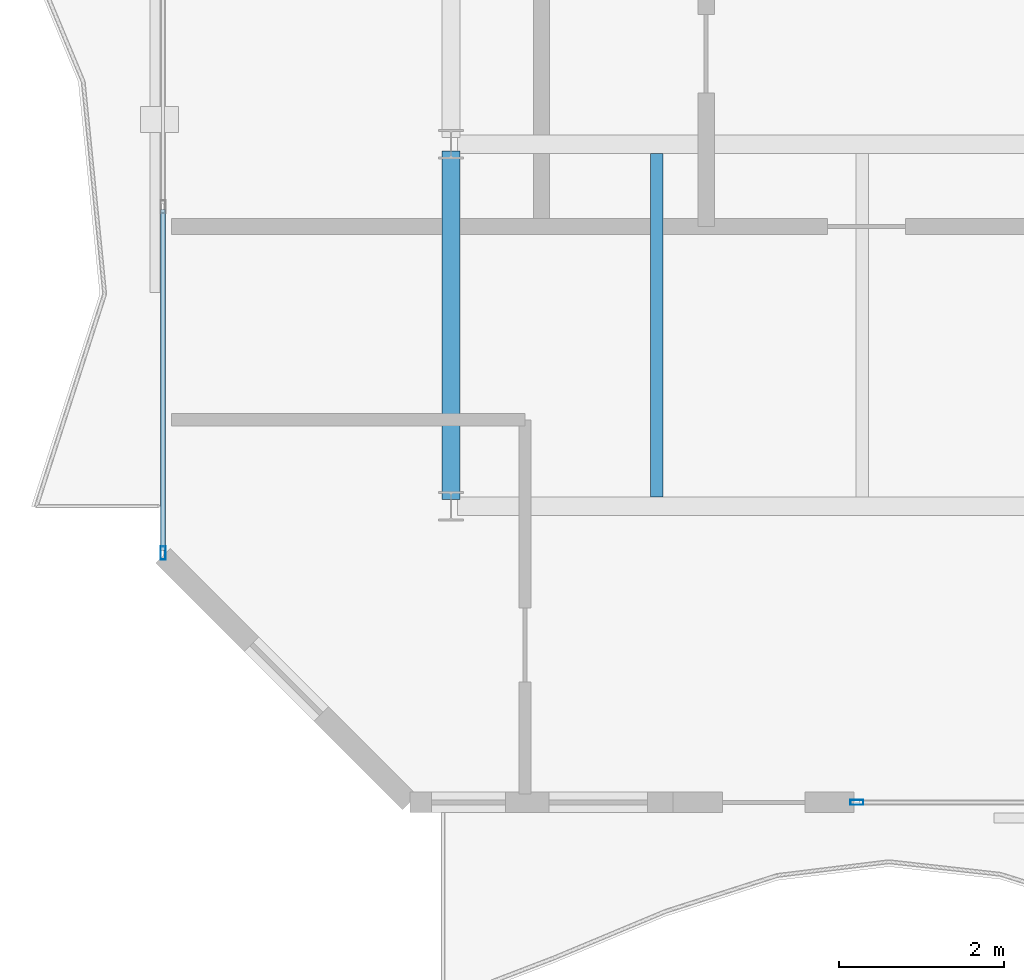
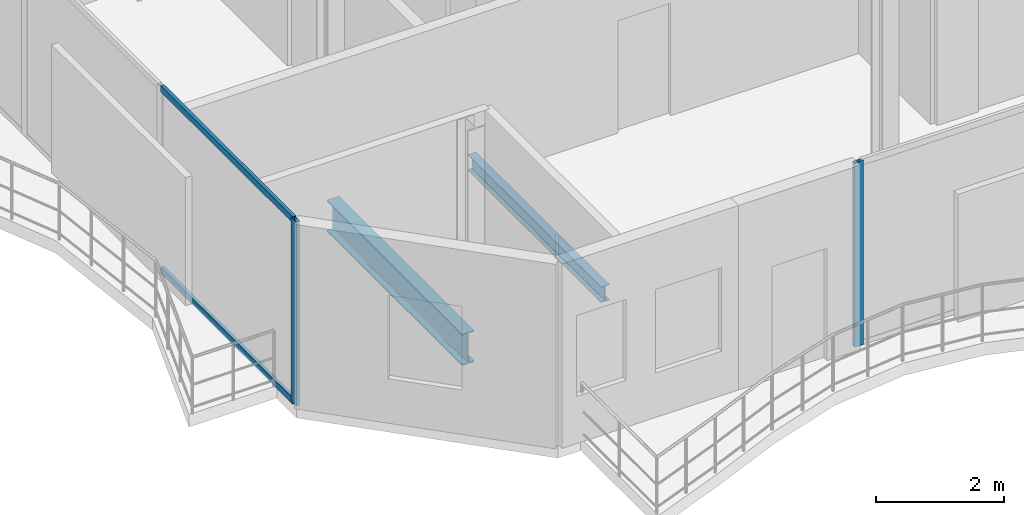
# One storey, part 3 of 23: 4 members, 2 beams, 2 elements without a shape of their own.
"""IFC4 building model written with IfcOpenShell, lengths in metres."""

from ifc_helpers import new_model, si_unit, direction, frame, origin, origin_2d, place, context, subcontext, project, spatial, hollow_rectangle, i_section, extrude, material, layer, layer_set, material_profile, profile_set, type_object, element, aggregate, save


model = new_model("IFC4")

# Units and contexts
model_context = context("Model", 3, precision=1e-05, world=origin(), true_north=direction((0.0, 1.0)))
body_context = subcontext(model_context, "Body", "Model", "MODEL_VIEW")
ifc_project = project(units=[si_unit("LENGTHUNIT", "METRE"), si_unit("AREAUNIT", "SQUARE_METRE"), si_unit("VOLUMEUNIT", "CUBIC_METRE"), si_unit("PLANEANGLEUNIT", "RADIAN"), si_unit("MASSUNIT", "GRAM", prefix="KILO")], contexts=[model_context])

# Site, building, storey
site_placement = place(None, origin())
site = spatial("IfcSite", under=ifc_project, at=site_placement, CompositionType="ELEMENT")
building_placement = place(site_placement, origin())
building = spatial("IfcBuilding", under=site, at=building_placement, Name="Catumbela Crestline Tower", CompositionType="ELEMENT")
storey_placement = place(building_placement, frame((0.0, 0.0, 241.2)))
storey = spatial("IfcBuildingStorey", under=building, at=storey_placement, Name="L62", CompositionType="ELEMENT", Elevation=241.2)

# Beams
ifc_material_1 = material(Name="Structural steel S355J2", Category="steel")
ifc_material_profile_1 = material_profile(ifc_material_1, i_section(OverallWidth=0.22, OverallDepth=0.6, WebThickness=0.012, FlangeThickness=0.019, FilletRadius=0.024, at=origin_2d()), Name="IPE 600")
ifc_profile_set_1 = profile_set([ifc_material_profile_1], Name="Structural steel S355J2")
beam_type_1 = type_object("IfcBeamType", Name="BG-IPE600", PredefinedType="BEAM", material=ifc_profile_set_1)
beam_1_placement = place(storey_placement, frame((8.5, 13.68, -0.56), z_axis=(0.0, 1.0, 0.0), x_axis=(-1.0, 0.0, 0.0)))
element("IfcBeam", 1, at=beam_1_placement, inside=storey, type_object=beam_type_1, Name="L62 Beam BM-L62-WNS31", PredefinedType="BEAM", context=body_context, shape_type="SweptSolid", body=[
    extrude(i_section(OverallWidth=0.22, OverallDepth=0.6, WebThickness=0.012, FlangeThickness=0.019, FilletRadius=0.024, at=origin_2d()), origin(), (0.0, 0.0, 1.0), 4.24),
])
ifc_material_profile_2 = material_profile(ifc_material_1, i_section(OverallWidth=0.15, OverallDepth=0.3, WebThickness=0.0071, FlangeThickness=0.0107, FilletRadius=0.015, at=origin_2d()), Name="IPE 300")
ifc_profile_set_2 = profile_set([ifc_material_profile_2], Name="Structural steel S355J2")
beam_type_2 = type_object("IfcBeamType", Name="BJ-IPE300", PredefinedType="JOIST", material=ifc_profile_set_2)
beam_2_placement = place(storey_placement, frame((11.0, 13.71, -0.41), z_axis=(0.0, 1.0, 0.0), x_axis=(-1.0, 0.0, 0.0)))
element("IfcBeam", 2, at=beam_2_placement, inside=storey, type_object=beam_type_2, Name="L62 Joist JS-L62-WG36", PredefinedType="JOIST", context=body_context, shape_type="SweptSolid", body=[
    extrude(i_section(OverallWidth=0.15, OverallDepth=0.3, WebThickness=0.0071, FlangeThickness=0.0107, FilletRadius=0.015, at=origin_2d()), origin(), (0.0, 0.0, 1.0), 4.18),
])

# Curtain wall, member
ifc_material_2 = material(Name="Aluminium alloy AW-6060-T66", Category="aluminium")
ifc_layer = layer(ifc_material_2, 0.18, Name="Aluminium alloy AW-6060-T66")
ifc_layer_set = layer_set([ifc_layer], Name="Aluminium alloy AW-6060-T66")
curtain_wall_type = type_object("IfcCurtainWallType", Name="CWU-Z4", PredefinedType="USERDEFINED", material=ifc_layer_set)
curtain_wall_1_placement = place(storey_placement, origin())
curtain_wall_1 = element("IfcCurtainWall", 3, at=curtain_wall_1_placement, inside=storey, type_object=curtain_wall_type, Name="L62 Unitised Curtain Wall CW-L62-E0S2", ObjectType="UNITISED", PredefinedType="USERDEFINED")
ifc_material_profile_3 = material_profile(ifc_material_2, hollow_rectangle(XDim=0.06, YDim=0.16, WallThickness=0.004, at=origin_2d()), Name="ALU 160x60x4")
ifc_profile_set_3 = profile_set([ifc_material_profile_3], Name="Aluminium alloy AW-6060-T66")
member_type_1 = type_object("IfcMemberType", Name="MUL-160X60", PredefinedType="MULLION", material=ifc_profile_set_3)
member_1_placement = place(storey_placement, frame((13.4325, 10.0, 0.0), z_axis=(0.0, 0.0, 1.0), x_axis=(0.0, 1.0, 0.0)))
member_1 = element("IfcMember", 4, at=member_1_placement, type_object=member_type_1, Name="CWU-Z4 mullion 1", PredefinedType="MULLION", context=body_context, shape_type="SweptSolid", body=[
    extrude(hollow_rectangle(XDim=0.06, YDim=0.16, WallThickness=0.004, at=origin_2d()), origin(), (0.0, 0.0, 1.0), 3.53),
])
aggregate(curtain_wall_1, [member_1])

# Curtain wall, members
curtain_wall_2_placement = place(storey_placement, origin())
curtain_wall_2 = element("IfcCurtainWall", 5, at=curtain_wall_2_placement, inside=storey, type_object=curtain_wall_type, Name="L62 Unitised Curtain Wall CW-L62-E9S2", ObjectType="UNITISED", PredefinedType="USERDEFINED")
member_2_placement = place(storey_placement, frame((5.0, 13.0325, 0.0), z_axis=(0.0, 0.0, 1.0), x_axis=(1.0, 0.0, 0.0)))
member_2 = element("IfcMember", 6, at=member_2_placement, type_object=member_type_1, Name="CWU-Z4 mullion 6", PredefinedType="MULLION", context=body_context, shape_type="SweptSolid", body=[
    extrude(hollow_rectangle(XDim=0.06, YDim=0.16, WallThickness=0.004, at=origin_2d()), origin(), (0.0, 0.0, 1.0), 3.53),
])
ifc_material_profile_4 = material_profile(ifc_material_2, hollow_rectangle(XDim=0.06, YDim=0.12, WallThickness=0.0035, at=origin_2d()), Name="ALU 120x60x3.5")
ifc_profile_set_4 = profile_set([ifc_material_profile_4], Name="Aluminium alloy AW-6060-T66")
member_type_2 = type_object("IfcMemberType", Name="TRN-120X60", PredefinedType="USERDEFINED", material=ifc_profile_set_4)
member_3_placement = place(storey_placement, frame((5.0, 17.2075, 0.03), z_axis=(0.0, -1.0, 0.0), x_axis=(1.0, 0.0, 0.0)))
member_3 = element("IfcMember", 7, at=member_3_placement, type_object=member_type_2, Name="CWU-Z4 transom 5.1", ObjectType="TRANSOM", PredefinedType="USERDEFINED", context=body_context, shape_type="SweptSolid", body=[
    extrude(hollow_rectangle(XDim=0.06, YDim=0.12, WallThickness=0.0035, at=origin_2d()), origin(), (0.0, 0.0, 1.0), 4.1425),
])
member_4_placement = place(storey_placement, frame((5.0, 17.2075, 3.5), z_axis=(0.0, -1.0, 0.0), x_axis=(1.0, 0.0, 0.0)))
member_4 = element("IfcMember", 8, at=member_4_placement, type_object=member_type_2, Name="CWU-Z4 transom 5.2", ObjectType="TRANSOM", PredefinedType="USERDEFINED", context=body_context, shape_type="SweptSolid", body=[
    extrude(hollow_rectangle(XDim=0.06, YDim=0.12, WallThickness=0.0035, at=origin_2d()), origin(), (0.0, 0.0, 1.0), 4.1425),
])
aggregate(curtain_wall_2, [member_2, member_3, member_4])

save(model, "model.ifc")
